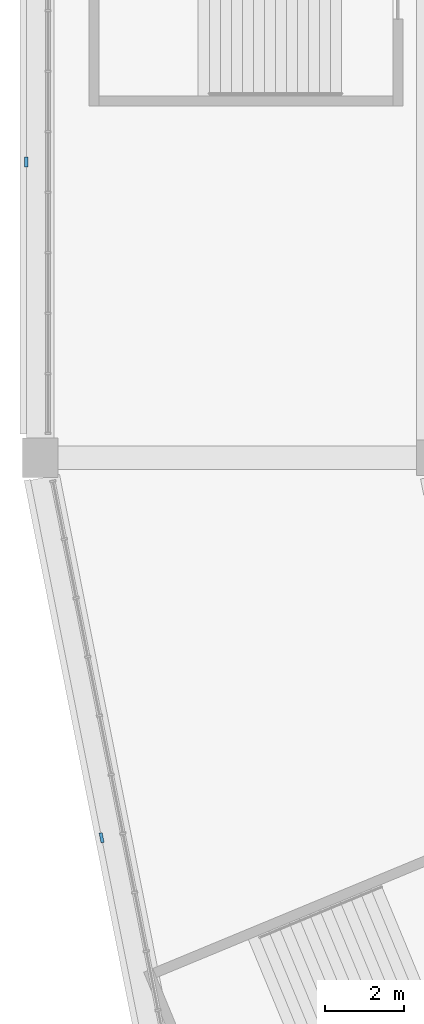
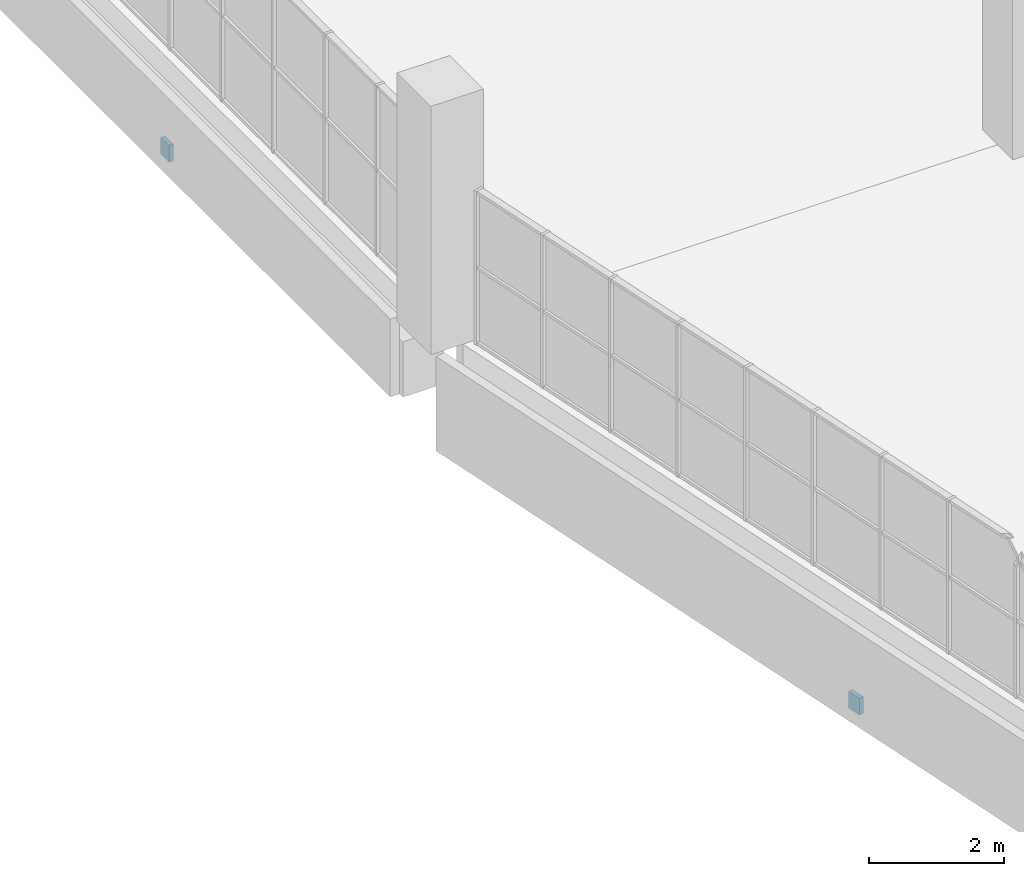
# One storey, part 102 of 249: 2 discrete accessories.
"""IFC4 building model written with IfcOpenShell, lengths in metres."""

from ifc_helpers import new_model, si_unit, direction, frame, origin, origin_2d, place, context, subcontext, project, spatial, rectangle, extrude, material, layer, layer_set, type_object, element, save


model = new_model("IFC4")

# Units and contexts
model_context = context("Model", 3, precision=1e-05, world=origin(), true_north=direction((0.0, 1.0)))
body_context = subcontext(model_context, "Body", "Model", "MODEL_VIEW")
ifc_project = project(units=[si_unit("LENGTHUNIT", "METRE"), si_unit("AREAUNIT", "SQUARE_METRE"), si_unit("VOLUMEUNIT", "CUBIC_METRE"), si_unit("PLANEANGLEUNIT", "RADIAN"), si_unit("MASSUNIT", "GRAM", prefix="KILO")], contexts=[model_context])

# Site, building, storey
site_placement = place(None, origin())
site = spatial("IfcSite", under=ifc_project, at=site_placement, CompositionType="ELEMENT")
building_placement = place(site_placement, origin())
building = spatial("IfcBuilding", under=site, at=building_placement, Name="Ogive Plaza Stadium", CompositionType="ELEMENT")
storey_placement = place(building_placement, frame((0.0, 0.0, 13.5)))
storey = spatial("IfcBuildingStorey", under=building, at=storey_placement, Name="L03", CompositionType="ELEMENT", Elevation=13.5)

# Discrete accessories
ifc_material = material(Name="Steel ASTM A572 Grade 50", Category="steel")
ifc_layer = layer(ifc_material, 0.080078125)
ifc_layer_set = layer_set([ifc_layer], Name="Steel ASTM A572 Grade 50")
discrete_accessory_type = type_object("IfcDiscreteAccessoryType", Name="Spandrel cladding bracket 250x300", PredefinedType="BRACKET", material=ifc_layer_set)
for number, where, z_axis, x_axis, name in (
    (1, (-82.440185546875, -62.135498046875, -1.60986328125), (0.0, 0.0, 1.0), (-0.195090321965, 0.980785280413, 0.0), "SPANDREL BRACKET B20 L03"),
    (2, (-84.35009765625, -45.0, -1.31005859375), (0.0, 0.0, 1.0), (0.0, 1.0, 0.0), "SPANDREL BRACKET B21 L03"),
):
    element("IfcDiscreteAccessory", number, at=place(storey_placement, frame(where, z_axis=z_axis, x_axis=x_axis)), inside=storey, type_object=discrete_accessory_type, Name=name, PredefinedType="BRACKET", context=body_context, shape_type="SweptSolid", body=[
        extrude(rectangle(XDim=0.25, YDim=0.080078125, at=origin_2d()), origin(), (0.0, 0.0, 1.0), 0.300048828125),
    ])

save(model, "model.ifc")
